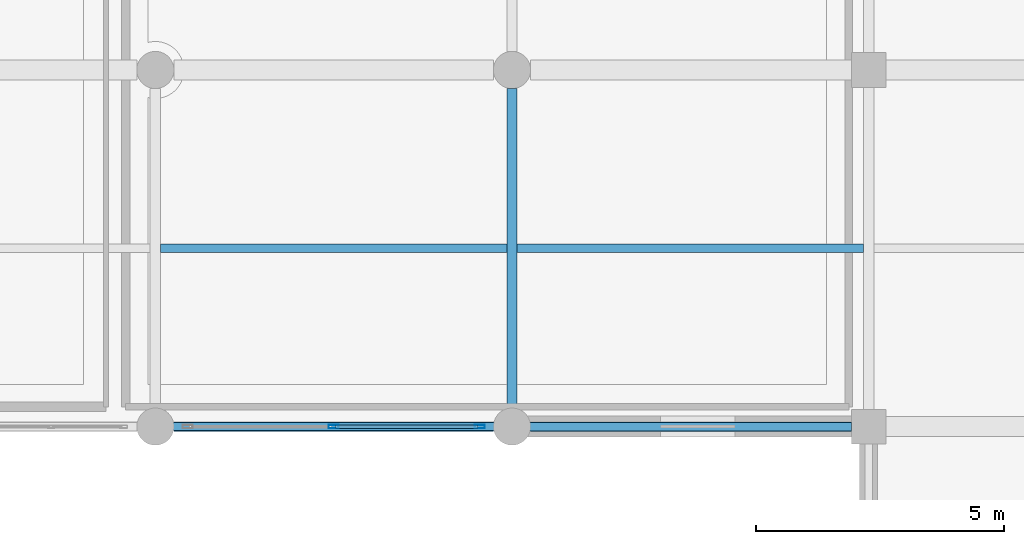
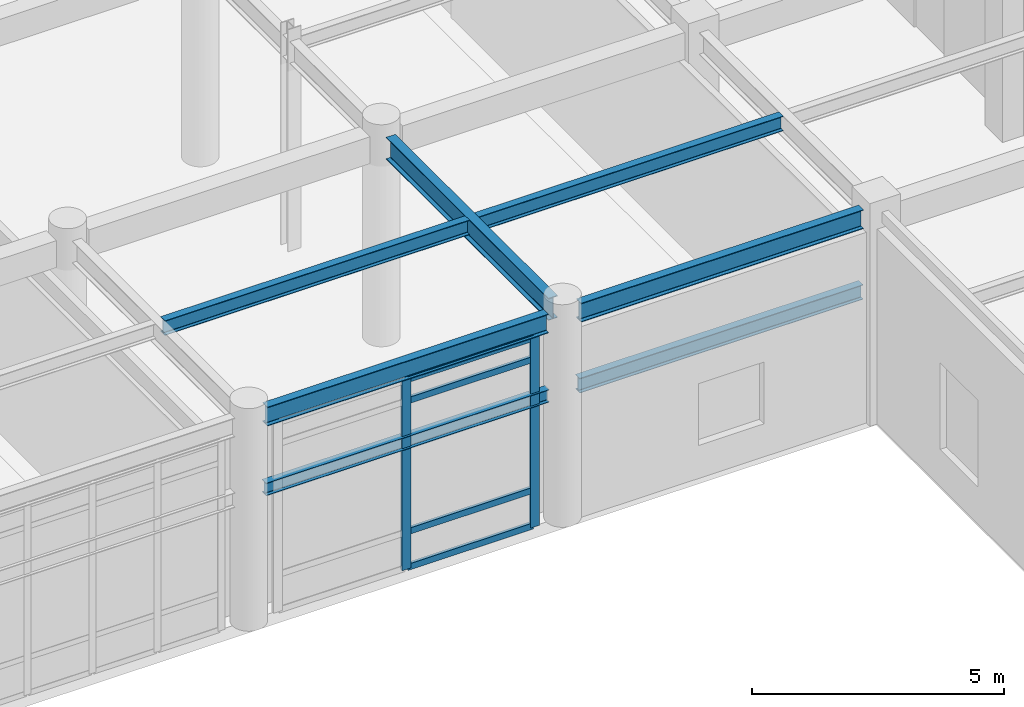
# One storey, part 39 of 102: 7 beams, 6 members, 1 element without a shape of its own.
"""IFC4 building model written with IfcOpenShell, lengths in metres."""

from ifc_helpers import new_model, si_unit, direction, frame, origin, origin_2d, place, context, subcontext, project, spatial, hollow_rectangle, i_section, extrude, material, layer, layer_set, material_profile, profile_set, type_object, element, aggregate, save


model = new_model("IFC4")

# Units and contexts
model_context = context("Model", 3, precision=1e-05, world=origin(), true_north=direction((0.0, 1.0)))
body_context = subcontext(model_context, "Body", "Model", "MODEL_VIEW")
ifc_project = project(units=[si_unit("LENGTHUNIT", "METRE"), si_unit("AREAUNIT", "SQUARE_METRE"), si_unit("VOLUMEUNIT", "CUBIC_METRE"), si_unit("PLANEANGLEUNIT", "RADIAN"), si_unit("MASSUNIT", "GRAM", prefix="KILO")], contexts=[model_context])

# Site, building, storey
site_placement = place(None, origin())
site = spatial("IfcSite", under=ifc_project, at=site_placement, CompositionType="ELEMENT")
building_placement = place(site_placement, origin())
building = spatial("IfcBuilding", under=site, at=building_placement, Name="Carrowvane Square Congress Hotel", CompositionType="ELEMENT")
storey_placement = place(building_placement, origin())
storey = spatial("IfcBuildingStorey", under=building, at=storey_placement, Name="L00", CompositionType="ELEMENT", Elevation=0.0)

# Beams
ifc_material_1 = material(Name="Steel S355", Category="steel")
ifc_material_profile_1 = material_profile(ifc_material_1, i_section(OverallWidth=0.165771484375, OverallDepth=0.306640625, WebThickness=0.006591796875, FlangeThickness=0.01171875, FilletRadius=0.0087890625, at=origin_2d()), Name="UKB 305x165x46")
ifc_profile_set_1 = profile_set([ifc_material_profile_1], Name="Steel S355")
beam_type_1 = type_object("IfcBeamType", Name="BM-LNT-1", PredefinedType="LINTEL", material=ifc_profile_set_1)
beam_1_placement = place(storey_placement, frame((112.75, 70.199951171875, 3.10009765625), z_axis=(1.0, 0.0, 0.0), x_axis=(0.0, 1.0, 0.0)))
element("IfcBeam", 1, at=beam_1_placement, inside=storey, type_object=beam_type_1, Name="L00 passage portal steel lintel 5", PredefinedType="LINTEL", context=body_context, shape_type="SweptSolid", body=[
    extrude(i_section(OverallWidth=0.165771484375, OverallDepth=0.306640625, WebThickness=0.006591796875, FlangeThickness=0.01171875, FilletRadius=0.0087890625, at=origin_2d()), origin(), (0.0, 0.0, 1.0), 6.5),
])
ifc_material_2 = material(Name="Steel S355", Category="steel")
ifc_material_profile_2 = material_profile(ifc_material_2, i_section(OverallWidth=0.172119140625, OverallDepth=0.35791015625, WebThickness=0.008056640625, FlangeThickness=0.012939453125, FilletRadius=0.01025390625, at=origin_2d()), Name="UKB 356x171x57")
ifc_profile_set_2 = profile_set([ifc_material_profile_2], Name="Steel S355")
beam_type_2 = type_object("IfcBeamType", Name="BM-LNT-2", PredefinedType="LINTEL", material=ifc_profile_set_2)
beam_2_placement = place(storey_placement, frame((119.949951171875, 70.199951171875, 3.10009765625), z_axis=(1.0, 0.0, 0.0), x_axis=(0.0, 1.0, 0.0)))
element("IfcBeam", 2, at=beam_2_placement, inside=storey, type_object=beam_type_2, Name="L00 passage portal steel lintel 6", PredefinedType="LINTEL", context=body_context, shape_type="SweptSolid", body=[
    extrude(i_section(OverallWidth=0.172119140625, OverallDepth=0.35791015625, WebThickness=0.008056640625, FlangeThickness=0.012939453125, FilletRadius=0.01025390625, at=origin_2d()), origin(), (0.0, 0.0, 1.0), 6.5),
])
ifc_material_3 = material(Name="Steel S355", Category="steel")
ifc_material_profile_3 = material_profile(ifc_material_3, i_section(OverallWidth=0.172119140625, OverallDepth=0.35791015625, WebThickness=0.008056640625, FlangeThickness=0.012939453125, FilletRadius=0.01025390625, at=origin_2d()), Name="UKB 356x171x57")
ifc_profile_set_3 = profile_set([ifc_material_profile_3], Name="Steel S355")
beam_type_3 = type_object("IfcBeamType", Name="BM-ST-UKB356", PredefinedType="JOIST", material=ifc_profile_set_3)
beam_3_placement = place(storey_placement, frame((112.5048828125, 73.800048828125, 4.9208984375), z_axis=(1.0, 0.0, 0.0), x_axis=(0.0, 1.0, 0.0)))
element("IfcBeam", 3, at=beam_3_placement, inside=storey, type_object=beam_type_3, Name="L01 secondary joist 15-16", PredefinedType="JOIST", context=body_context, shape_type="SweptSolid", body=[
    extrude(i_section(OverallWidth=0.172119140625, OverallDepth=0.35791015625, WebThickness=0.008056640625, FlangeThickness=0.012939453125, FilletRadius=0.01025390625, at=origin_2d()), origin(), (0.0, 0.0, 1.0), 6.990234375),
])
beam_4_placement = place(storey_placement, frame((119.705078125, 73.800048828125, 4.9208984375), z_axis=(1.0, 0.0, 0.0), x_axis=(0.0, 1.0, 0.0)))
element("IfcBeam", 4, at=beam_4_placement, inside=storey, type_object=beam_type_3, Name="L01 secondary joist 16-17", PredefinedType="JOIST", context=body_context, shape_type="SweptSolid", body=[
    extrude(i_section(OverallWidth=0.172119140625, OverallDepth=0.35791015625, WebThickness=0.008056640625, FlangeThickness=0.012939453125, FilletRadius=0.01025390625, at=origin_2d()), origin(), (0.0, 0.0, 1.0), 6.989990234375),
])
ifc_material_4 = material(Name="Steel S355", Category="steel")
ifc_material_profile_4 = material_profile(ifc_material_4, i_section(OverallWidth=0.19140625, OverallDepth=0.4599609375, WebThickness=0.010009765625, FlangeThickness=0.01611328125, FilletRadius=0.01025390625, at=origin_2d()), Name="UKB 457x191x82")
ifc_profile_set_4 = profile_set([ifc_material_profile_4], Name="Steel S355")
beam_type_4 = type_object("IfcBeamType", Name="BM-ST-UKB457", PredefinedType="SPANDREL", material=ifc_profile_set_4)
beam_5_placement = place(storey_placement, frame((112.77490234375, 70.199951171875, 4.8701171875), z_axis=(1.0, 0.0, 0.0), x_axis=(0.0, 1.0, 0.0)))
element("IfcBeam", 5, at=beam_5_placement, inside=storey, type_object=beam_type_4, Name="L01 girder K/15-16", PredefinedType="SPANDREL", context=body_context, shape_type="SweptSolid", body=[
    extrude(i_section(OverallWidth=0.19140625, OverallDepth=0.4599609375, WebThickness=0.010009765625, FlangeThickness=0.01611328125, FilletRadius=0.01025390625, at=origin_2d()), origin(), (0.0, 0.0, 1.0), 6.4501953125),
])
beam_6_placement = place(storey_placement, frame((119.97509765625, 70.199951171875, 4.8701171875), z_axis=(1.0, 0.0, 0.0), x_axis=(0.0, 1.0, 0.0)))
element("IfcBeam", 6, at=beam_6_placement, inside=storey, type_object=beam_type_4, Name="L01 girder K/16-17", PredefinedType="SPANDREL", context=body_context, shape_type="SweptSolid", body=[
    extrude(i_section(OverallWidth=0.19140625, OverallDepth=0.4599609375, WebThickness=0.010009765625, FlangeThickness=0.01611328125, FilletRadius=0.01025390625, at=origin_2d()), origin(), (0.0, 0.0, 1.0), 6.474853515625),
])
ifc_material_5 = material(Name="Steel S355", Category="steel")
ifc_material_profile_5 = material_profile(ifc_material_5, i_section(OverallWidth=0.2099609375, OverallDepth=0.53662109375, WebThickness=0.0107421875, FlangeThickness=0.017333984375, FilletRadius=0.0126953125, at=origin_2d()), Name="UKB 533x210x101")
ifc_profile_set_5 = profile_set([ifc_material_profile_5], Name="Steel S355")
beam_type_5 = type_object("IfcBeamType", Name="BM-ST-UKB533", PredefinedType="USERDEFINED", material=ifc_profile_set_5)
beam_7_placement = place(storey_placement, frame((119.60009765625, 70.574951171875, 4.83154296875), z_axis=(0.0, 1.0, 0.0), x_axis=(-1.0, 0.0, 0.0)))
element("IfcBeam", 7, at=beam_7_placement, inside=storey, type_object=beam_type_5, Name="L01 girder 16/K-L", ObjectType="GIRDER", PredefinedType="USERDEFINED", context=body_context, shape_type="SweptSolid", body=[
    extrude(i_section(OverallWidth=0.2099609375, OverallDepth=0.53662109375, WebThickness=0.0107421875, FlangeThickness=0.017333984375, FilletRadius=0.0126953125, at=origin_2d()), origin(), (0.0, 0.0, 1.0), 6.449951171875),
])

# Curtain wall, members
ifc_material_6 = material(Name="Anodised aluminium", Category="aluminium")
ifc_layer = layer(ifc_material_6, 0.197998046875)
ifc_layer_set = layer_set([ifc_layer], Name="Anodised aluminium")
curtain_wall_type = type_object("IfcCurtainWallType", Name="CW-SYS-4", PredefinedType="NOTDEFINED", material=ifc_layer_set)
curtain_wall_placement = place(storey_placement, origin())
curtain_wall = element("IfcCurtainWall", 8, at=curtain_wall_placement, inside=storey, type_object=curtain_wall_type, Name="L00 unitised curtain wall 51", PredefinedType="NOTDEFINED")
ifc_material_7 = material(Name="Anodised aluminium", Category="aluminium")
ifc_material_profile_6 = material_profile(ifc_material_7, hollow_rectangle(XDim=0.070068359375, YDim=0.199951171875, WallThickness=0.0048828125, at=origin_2d()), Name="CW-ML 70x200x5")
ifc_profile_set_6 = profile_set([ifc_material_profile_6], Name="Anodised aluminium")
member_type_1 = type_object("IfcMemberType", Name="CW-MUL-2", PredefinedType="MULLION", material=ifc_profile_set_6)
member_1_placement = place(storey_placement, frame((118.949951171875, 70.199951171875, 0.0), z_axis=(0.0, 0.0, 1.0), x_axis=(0.0, -1.0, 0.0)))
member_1 = element("IfcMember", 9, at=member_1_placement, type_object=member_type_1, Name="CW-4 mullion 1", PredefinedType="MULLION", context=body_context, shape_type="SweptSolid", body=[
    extrude(hollow_rectangle(XDim=0.070068359375, YDim=0.199951171875, WallThickness=0.0048828125, at=origin_2d()), origin(), (0.0, 0.0, 1.0), 4.625),
])
member_2_placement = place(storey_placement, frame((116.0, 70.199951171875, 0.0), z_axis=(0.0, 0.0, 1.0), x_axis=(0.0, -1.0, 0.0)))
member_2 = element("IfcMember", 10, at=member_2_placement, type_object=member_type_1, Name="CW-4 mullion 2", PredefinedType="MULLION", context=body_context, shape_type="SweptSolid", body=[
    extrude(hollow_rectangle(XDim=0.070068359375, YDim=0.199951171875, WallThickness=0.0048828125, at=origin_2d()), origin(), (0.0, 0.0, 1.0), 4.625),
])
ifc_material_8 = material(Name="Anodised aluminium", Category="aluminium")
ifc_material_profile_7 = material_profile(ifc_material_8, hollow_rectangle(XDim=0.070068359375, YDim=0.14990234375, WallThickness=0.0048828125, at=origin_2d()), Name="CW-TR 70x150x5")
ifc_profile_set_7 = profile_set([ifc_material_profile_7], Name="Anodised aluminium")
member_type_2 = type_object("IfcMemberType", Name="CW-TRN-2", PredefinedType="USERDEFINED", material=ifc_profile_set_7)
member_3_placement = place(storey_placement, frame((118.9150390625, 70.199951171875, 0.034912109375), z_axis=(-1.0, 0.0, 0.0), x_axis=(0.0, -1.0, 0.0)))
member_3 = element("IfcMember", 11, at=member_3_placement, type_object=member_type_2, Name="CW-4 transom 1.1", ObjectType="TRANSOM", PredefinedType="USERDEFINED", context=body_context, shape_type="SweptSolid", body=[
    extrude(hollow_rectangle(XDim=0.070068359375, YDim=0.14990234375, WallThickness=0.0048828125, at=origin_2d()), origin(), (0.0, 0.0, 1.0), 2.880126953125),
])
member_4_placement = place(storey_placement, frame((118.9150390625, 70.199951171875, 0.89990234375), z_axis=(-1.0, 0.0, 0.0), x_axis=(0.0, -1.0, 0.0)))
member_4 = element("IfcMember", 12, at=member_4_placement, type_object=member_type_2, Name="CW-4 transom 1.2", ObjectType="TRANSOM", PredefinedType="USERDEFINED", context=body_context, shape_type="SweptSolid", body=[
    extrude(hollow_rectangle(XDim=0.070068359375, YDim=0.14990234375, WallThickness=0.0048828125, at=origin_2d()), origin(), (0.0, 0.0, 1.0), 2.880126953125),
])
member_5_placement = place(storey_placement, frame((118.9150390625, 70.199951171875, 4.074951171875), z_axis=(-1.0, 0.0, 0.0), x_axis=(0.0, -1.0, 0.0)))
member_5 = element("IfcMember", 13, at=member_5_placement, type_object=member_type_2, Name="CW-4 transom 1.3", ObjectType="TRANSOM", PredefinedType="USERDEFINED", context=body_context, shape_type="SweptSolid", body=[
    extrude(hollow_rectangle(XDim=0.070068359375, YDim=0.14990234375, WallThickness=0.0048828125, at=origin_2d()), origin(), (0.0, 0.0, 1.0), 2.880126953125),
])
member_6_placement = place(storey_placement, frame((118.9150390625, 70.199951171875, 4.590087890625), z_axis=(-1.0, 0.0, 0.0), x_axis=(0.0, -1.0, 0.0)))
member_6 = element("IfcMember", 14, at=member_6_placement, type_object=member_type_2, Name="CW-4 transom 1.4", ObjectType="TRANSOM", PredefinedType="USERDEFINED", context=body_context, shape_type="SweptSolid", body=[
    extrude(hollow_rectangle(XDim=0.070068359375, YDim=0.14990234375, WallThickness=0.0048828125, at=origin_2d()), origin(), (0.0, 0.0, 1.0), 2.880126953125),
])
aggregate(curtain_wall, [member_1, member_2, member_3, member_4, member_5, member_6])

save(model, "model.ifc")
